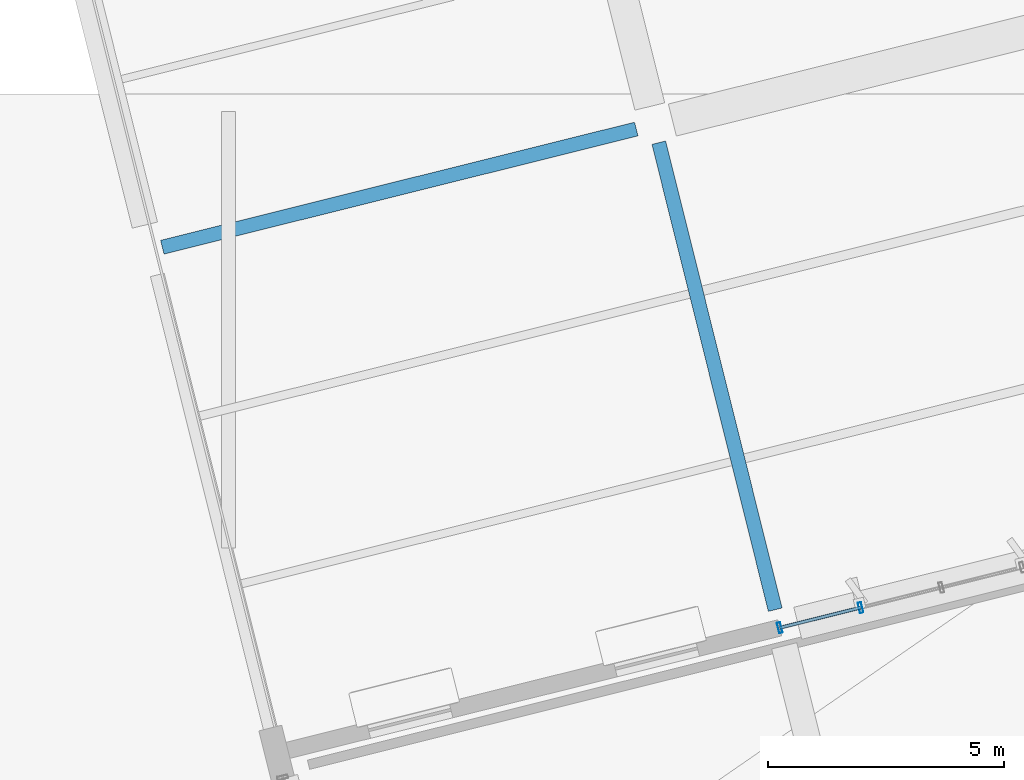
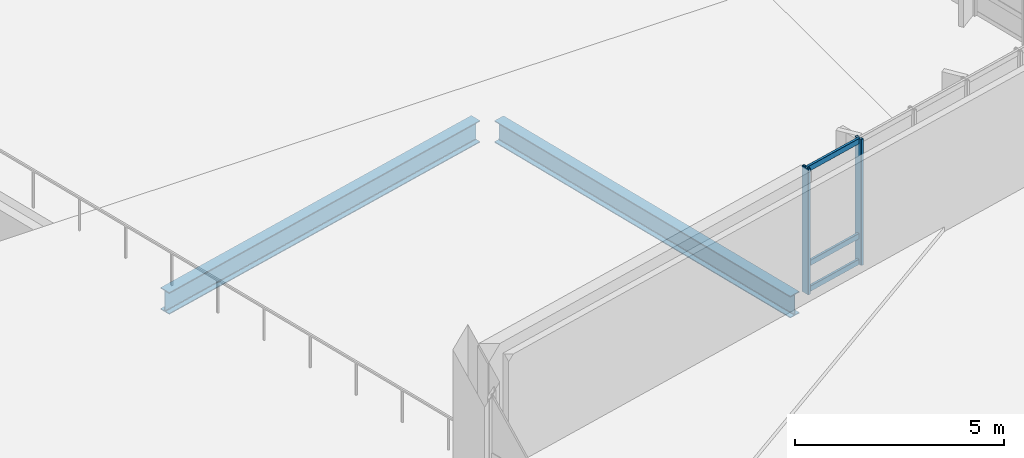
# One storey, part 70 of 137: 5 members, 2 beams, 1 element without a shape of its own.
"""IFC4 building model written with IfcOpenShell, lengths in metres."""

import ifcopenshell
import ifcopenshell.guid

model = None  # the IFC model being written
_history = None  # IfcOwnerHistory: only IFC2X3 demands one
_inside = {}  # id of a spatial element -> (the spatial element, [elements in it])
_under = {}  # id of a project, library or spatial element -> (it, [spatial elements below it])
_declared = {}  # id of a project -> (the project, [libraries it declares])
_typed = {}  # id of a type object -> (the type object, [elements of that type])
_made_of = {}  # id of a material, layer set ... -> (it, [elements and type objects made of it])


def new_model(schema):
    """Start an empty IFC model of exactly this schema.

    Asked for "IFC4X3", IfcOpenShell would pick the latest addendum, in which some entities
    have other attributes; the version numbers below select the first issue.
    IFC2X3 requires an IfcOwnerHistory on every rooted entity: one is made here for all.
    """
    global model, _history
    if schema == "IFC4X3":
        model = ifcopenshell.file(schema_version=(4, 3, 0, 0))
    else:
        model = ifcopenshell.file(schema=schema)
    _inside.clear()
    _under.clear()
    _declared.clear()
    _typed.clear()
    _made_of.clear()
    _history = None
    if model.schema == "IFC2X3":
        org = make("IfcOrganization", Name="unknown")
        user = make(
            "IfcPersonAndOrganization",
            ThePerson=make("IfcPerson", FamilyName="unknown"),
            TheOrganization=org,
        )
        app = make(
            "IfcApplication",
            ApplicationDeveloper=org,
            Version="unknown",
            ApplicationFullName="unknown",
            ApplicationIdentifier="unknown",
        )
        _history = make(
            "IfcOwnerHistory",
            OwningUser=user,
            OwningApplication=app,
            ChangeAction="ADDED",
            CreationDate=0,
        )
    return model


def make(cls, **values):
    """One entity of the class cls with the attributes given. An attribute that is None is left unset."""
    return model.create_entity(
        cls, **{name: value for name, value in values.items() if value is not None}
    )


def rooted(cls, **values):
    """An entity with a GlobalId (a new one), such as an element, a storey or a relation."""
    return make(cls, GlobalId=ifcopenshell.guid.new(), OwnerHistory=_history, **values)


def si_unit(unit_type, name, prefix=None):
    """IfcSIUnit, for example si_unit("LENGTHUNIT", "METRE", prefix="MILLI")."""
    return make("IfcSIUnit", UnitType=unit_type, Prefix=prefix, Name=name)


def assignment(units):
    """IfcUnitAssignment: the units of a project."""
    return None if units is None else make("IfcUnitAssignment", Units=units)


def point(xyz):
    """IfcCartesianPoint."""
    return None if xyz is None else make("IfcCartesianPoint", Coordinates=xyz)


def direction(xyz):
    """IfcDirection."""
    return None if xyz is None else make("IfcDirection", DirectionRatios=xyz)


def frame(location, z_axis=None, x_axis=None):
    """IfcAxis2Placement3D, a coordinate frame: its origin and axes. An axis left out is left unset."""
    return make(
        "IfcAxis2Placement3D",
        Location=point(location),
        Axis=direction(z_axis),
        RefDirection=direction(x_axis),
    )


def frame_2d(location, x_axis=None):
    """IfcAxis2Placement2D, a coordinate frame in the plane: its origin and x axis."""
    return make(
        "IfcAxis2Placement2D", Location=point(location), RefDirection=direction(x_axis)
    )


def origin():
    """The frame at (0, 0, 0) with its axes left unset."""
    return frame((0.0, 0.0, 0.0))


def origin_2d():
    """The frame at (0, 0) in the plane with its x axis left unset."""
    return frame_2d((0.0, 0.0))


def place(relative_to, where):
    """IfcLocalPlacement: puts the frame where relative to a parent placement (None: the world)."""
    return make(
        "IfcLocalPlacement", PlacementRelTo=relative_to, RelativePlacement=where
    )


def context(
    kind, dimensions, precision=None, world=None, true_north=None, identifier=None
):
    """IfcGeometricRepresentationContext, for example the 3D "Model" context."""
    return make(
        "IfcGeometricRepresentationContext",
        ContextIdentifier=identifier,
        ContextType=kind,
        CoordinateSpaceDimension=dimensions,
        Precision=precision,
        WorldCoordinateSystem=world,
        TrueNorth=true_north,
    )


def subcontext(parent, identifier, kind, view, scale=None):
    """IfcGeometricRepresentationSubContext, for example "Body" below "Model"."""
    return make(
        "IfcGeometricRepresentationSubContext",
        ContextIdentifier=identifier,
        ContextType=kind,
        ParentContext=parent,
        TargetScale=scale,
        TargetView=view,
    )


def project(units=None, contexts=None):
    """IfcProject with its units and contexts."""
    return rooted(
        "IfcProject",
        Name="project",
        RepresentationContexts=contexts,
        UnitsInContext=assignment(units),
    )


def spatial(cls, under=None, at=None, **own):
    """A site, building, storey or space (cls), placed at a placement, below another one or the project."""
    s = rooted(cls, ObjectPlacement=at, **own)
    if under is not None:
        _under.setdefault(under.id(), (under, []))[1].append(s)
    return s


def profile(cls, at=None, kind="AREA", **sizes):
    """A parametric profile (cls). Its sizes go by their IFC names, for example OverallWidth=200.0."""
    return make(cls, ProfileType=kind, Position=at, **sizes)


def hollow_rectangle(**sizes):
    """IfcRectangleHollowProfileDef."""
    return profile("IfcRectangleHollowProfileDef", **sizes)


def i_section(**sizes):
    """IfcIShapeProfileDef."""
    return profile("IfcIShapeProfileDef", **sizes)


def extrude(swept, where, along, depth):
    """IfcExtrudedAreaSolid: the profile swept, set in the frame where, extruded along a direction by depth."""
    return make(
        "IfcExtrudedAreaSolid",
        SweptArea=swept,
        Position=where,
        ExtrudedDirection=direction(along),
        Depth=depth,
    )


def shape(context_of_items, identifier, shape_type, items):
    """IfcShapeRepresentation: the items that make up one representation, for example the "Body"."""
    return make(
        "IfcShapeRepresentation",
        ContextOfItems=context_of_items,
        RepresentationIdentifier=identifier,
        RepresentationType=shape_type,
        Items=items,
    )


def material(Name=None, Category=None):
    """IfcMaterial."""
    return make("IfcMaterial", Name=Name, Category=Category)


def layer(
    of_material, thickness, ventilated=None, Name=None, Category=None, Priority=None
):
    """IfcMaterialLayer: one layer of a wall or slab, of a material (None: an air gap)."""
    return make(
        "IfcMaterialLayer",
        Material=of_material,
        LayerThickness=thickness,
        IsVentilated=ventilated,
        Name=Name,
        Category=Category,
        Priority=Priority,
    )


def layer_set(layers, Name=None):
    """IfcMaterialLayerSet."""
    return make("IfcMaterialLayerSet", MaterialLayers=layers, LayerSetName=Name)


def material_profile(
    of_material, cross_section, Name=None, Category=None, Priority=None
):
    """IfcMaterialProfile: a cross section and its material."""
    return make(
        "IfcMaterialProfile",
        Name=Name,
        Material=of_material,
        Profile=cross_section,
        Priority=Priority,
        Category=Category,
    )


def profile_set(profiles, Name=None, composite=None):
    """IfcMaterialProfileSet."""
    return make(
        "IfcMaterialProfileSet",
        Name=Name,
        MaterialProfiles=profiles,
        CompositeProfile=composite,
    )


def made_of(thing, what):
    """Note that an element or type object is made of a material, layer set ...; save() writes the relation."""
    if what is not None:
        _made_of.setdefault(what.id(), (what, []))[1].append(thing)
    return thing


def type_object(cls, material=None, **own):
    """A type object (cls), such as IfcWallType, which elements share."""
    return made_of(rooted(cls, **own), material)


def element(
    cls,
    number,
    at=None,
    inside=None,
    cuts=None,
    type_object=None,
    material=None,
    context=None,
    identifier="Body",
    shape_type=None,
    held_by="IfcProductDefinitionShape",
    body=None,
    shapes=None,
    **own,
):
    """One element of the class cls, such as IfcWall. Its Tag is "e" and its number.

    at: its placement. inside: the storey or other place that contains it. cuts: it is an
    opening in that element (IfcRelVoidsElement). A single representation is given by context,
    identifier, shape_type and body (its items); several are given by shapes. held_by: the class
    of the entity that holds the representations. save() writes the other relations.
    """
    e = rooted(cls, Tag="e%d" % number, ObjectPlacement=at, **own)
    if body is not None:
        shapes = [shape(context, identifier, shape_type, body)]
    if shapes is not None:
        e.Representation = make(held_by, Representations=shapes)
    if inside is not None:
        _inside.setdefault(inside.id(), (inside, []))[1].append(e)
    if cuts is not None:
        rooted(
            "IfcRelVoidsElement", RelatingBuildingElement=cuts, RelatedOpeningElement=e
        )
    if type_object is not None:
        _typed.setdefault(type_object.id(), (type_object, []))[1].append(e)
    return made_of(e, material)


def aggregate(whole, parts):
    """IfcRelAggregates: a whole, such as a stair, and the parts it consists of."""
    return rooted("IfcRelAggregates", RelatingObject=whole, RelatedObjects=parts)


def save(model, path):
    """Write the relations noted so far, then the file.

    IfcRelAggregates (storeys below a building ...), IfcRelContainedInSpatialStructure (elements
    in a storey), IfcRelDefinesByType, IfcRelAssociatesMaterial and IfcRelDeclares: one each for
    every whole, place, type object, material and project.
    """
    for whole, parts in _under.values():
        aggregate(whole, parts)
    for where, things in _inside.values():
        rooted(
            "IfcRelContainedInSpatialStructure",
            RelatedElements=things,
            RelatingStructure=where,
        )
    for kind, things in _typed.values():
        rooted("IfcRelDefinesByType", RelatedObjects=things, RelatingType=kind)
    for what, things in _made_of.values():
        rooted("IfcRelAssociatesMaterial", RelatedObjects=things, RelatingMaterial=what)
    for by, libraries in _declared.values():
        rooted("IfcRelDeclares", RelatingContext=by, RelatedDefinitions=libraries)
    model.write(path)


model = new_model("IFC4")

# Units and contexts
model_context = context("Model", 3, precision=1e-05, world=origin(), true_north=direction((0.0, 1.0)))
body_context = subcontext(model_context, "Body", "Model", "MODEL_VIEW")
ifc_project = project(units=[si_unit("LENGTHUNIT", "METRE"), si_unit("AREAUNIT", "SQUARE_METRE"), si_unit("VOLUMEUNIT", "CUBIC_METRE"), si_unit("PLANEANGLEUNIT", "RADIAN"), si_unit("MASSUNIT", "GRAM", prefix="KILO")], contexts=[model_context])

# Site, building, storey
site_placement = place(None, origin())
site = spatial("IfcSite", under=ifc_project, at=site_placement, CompositionType="ELEMENT")
building_placement = place(site_placement, origin())
building = spatial("IfcBuilding", under=site, at=building_placement, Name="Khorjan Park Terminus", CompositionType="ELEMENT")
storey_placement = place(building_placement, frame((0.0, 0.0, 11.4)))
storey = spatial("IfcBuildingStorey", under=building, at=storey_placement, Name="L02", CompositionType="ELEMENT", Elevation=11.4)

# Beams
ifc_material_1 = material(Name="Steel S355", Category="steel")
ifc_material_profile_1 = material_profile(ifc_material_1, i_section(OverallWidth=0.3, OverallDepth=0.64, WebThickness=0.0135, FlangeThickness=0.026, FilletRadius=0.027, at=origin_2d()), Name="HEA 650")
ifc_profile_set_1 = profile_set([ifc_material_profile_1], Name="Steel S355")
beam_type = type_object("IfcBeamType", Name="BM-HEA650", PredefinedType="BEAM", material=ifc_profile_set_1)
beam_1_placement = place(storey_placement, frame((155.5932, 44.7523, -0.59), z_axis=(0.970295611857, 0.241922354509, 0.0), x_axis=(-0.241922354509, 0.970295611857, 0.0)))
element("IfcBeam", 1, at=beam_1_placement, inside=storey, type_object=beam_type, Name="Primary skew-grid floor girder SB-A65 (L02)", PredefinedType="BEAM", context=body_context, shape_type="SweptSolid", body=[
    extrude(i_section(OverallWidth=0.3, OverallDepth=0.64, WebThickness=0.0135, FlangeThickness=0.026, FilletRadius=0.027, at=origin_2d()), origin(), (0.0, 0.0, 1.0), 10.3599),
])
beam_2_placement = place(storey_placement, frame((168.5943, 37.0642, -0.59), z_axis=(-0.241929482178, 0.970293834698, 0.0), x_axis=(-0.970293834698, -0.241929482178, 0.0)))
element("IfcBeam", 2, at=beam_2_placement, inside=storey, type_object=beam_type, Name="Primary skew-grid floor girder SB-A65 (L02)", PredefinedType="BEAM", context=body_context, shape_type="SweptSolid", body=[
    extrude(i_section(OverallWidth=0.3, OverallDepth=0.64, WebThickness=0.0135, FlangeThickness=0.026, FilletRadius=0.027, at=origin_2d()), origin(), (0.0, 0.0, 1.0), 10.21),
])

# Curtain wall, members
ifc_material_2 = material(Name="Anodized Bronze Aluminium", Category="aluminium")
ifc_layer = layer(ifc_material_2, 0.22)
ifc_layer_set = layer_set([ifc_layer], Name="Anodized Bronze Aluminium")
curtain_wall_type = type_object("IfcCurtainWallType", Name="CW-OPS-B", PredefinedType="NOTDEFINED", material=ifc_layer_set)
curtain_wall_placement = place(storey_placement, origin())
curtain_wall = element("IfcCurtainWall", 3, at=curtain_wall_placement, inside=storey, type_object=curtain_wall_type, Name="Unitized curtain wall CW-B (CW-V5-NW2-L02-B01)", PredefinedType="NOTDEFINED")
ifc_material_profile_2 = material_profile(ifc_material_2, hollow_rectangle(XDim=0.075, YDim=0.225, WallThickness=0.005, InnerFilletRadius=0.005, OuterFilletRadius=0.01, at=origin_2d()), Name="ALM 75x225x5")
ifc_profile_set_2 = profile_set([ifc_material_profile_2], Name="Anodized Bronze Aluminium")
member_type_1 = type_object("IfcMemberType", Name="ML-ALM-225", PredefinedType="MULLION", material=ifc_profile_set_2)
member_1_placement = place(storey_placement, frame((170.4032, 37.1081, -0.035), z_axis=(0.0, 0.0, 1.0), x_axis=(-0.970296650926, -0.241918187, 0.0)))
member_1 = element("IfcMember", 4, at=member_1_placement, type_object=member_type_1, Name="Curtain-wall mullion ML-22 (CW-V5-NW2-L02-B01-5)", PredefinedType="MULLION", context=body_context, shape_type="SweptSolid", body=[
    extrude(hollow_rectangle(XDim=0.075, YDim=0.225, WallThickness=0.005, InnerFilletRadius=0.005, OuterFilletRadius=0.01, at=origin_2d()), origin(), (0.0, 0.0, 1.0), 3.685),
])
member_2_placement = place(storey_placement, frame((168.6898, 36.6809, -0.035), z_axis=(0.0, 0.0, 1.0), x_axis=(-0.970296650926, -0.241918187, 0.0)))
member_2 = element("IfcMember", 5, at=member_2_placement, type_object=member_type_1, Name="Curtain-wall mullion ML-22 (CW-V5-NW2-L02-B01-6)", PredefinedType="MULLION", context=body_context, shape_type="SweptSolid", body=[
    extrude(hollow_rectangle(XDim=0.075, YDim=0.225, WallThickness=0.005, InnerFilletRadius=0.005, OuterFilletRadius=0.01, at=origin_2d()), origin(), (0.0, 0.0, 1.0), 3.685),
])
ifc_material_profile_3 = material_profile(ifc_material_2, hollow_rectangle(XDim=0.07, YDim=0.16, WallThickness=0.004, InnerFilletRadius=0.004, OuterFilletRadius=0.008, at=origin_2d()), Name="ALT 70x160x4")
ifc_profile_set_3 = profile_set([ifc_material_profile_3], Name="Anodized Bronze Aluminium")
member_type_2 = type_object("IfcMemberType", Name="TR-ALT-160", PredefinedType="USERDEFINED", material=ifc_profile_set_3)
member_3_placement = place(storey_placement, frame((170.4032, 37.1081, 0.04), z_axis=(-0.970295540183, -0.241922641979, 0.0), x_axis=(0.241922641979, -0.970295540183, 0.0)))
member_3 = element("IfcMember", 6, at=member_3_placement, type_object=member_type_2, Name="Curtain-wall transom TR-16 (CW-V5-NW2-L02-B01-5-1)", ObjectType="TRANSOM", PredefinedType="USERDEFINED", context=body_context, shape_type="SweptSolid", body=[
    extrude(hollow_rectangle(XDim=0.07, YDim=0.16, WallThickness=0.004, InnerFilletRadius=0.004, OuterFilletRadius=0.008, at=origin_2d()), origin(), (0.0, 0.0, 1.0), 1.7659),
])
member_4_placement = place(storey_placement, frame((170.4032, 37.1081, 0.795), z_axis=(-0.970295540183, -0.241922641979, 0.0), x_axis=(0.241922641979, -0.970295540183, 0.0)))
member_4 = element("IfcMember", 7, at=member_4_placement, type_object=member_type_2, Name="Curtain-wall transom TR-16 (CW-V5-NW2-L02-B01-5-2)", ObjectType="TRANSOM", PredefinedType="USERDEFINED", context=body_context, shape_type="SweptSolid", body=[
    extrude(hollow_rectangle(XDim=0.07, YDim=0.16, WallThickness=0.004, InnerFilletRadius=0.004, OuterFilletRadius=0.008, at=origin_2d()), origin(), (0.0, 0.0, 1.0), 1.7659),
])
member_5_placement = place(storey_placement, frame((170.4032, 37.1081, 3.575), z_axis=(-0.970295540183, -0.241922641979, 0.0), x_axis=(0.241922641979, -0.970295540183, 0.0)))
member_5 = element("IfcMember", 8, at=member_5_placement, type_object=member_type_2, Name="Curtain-wall transom TR-16 (CW-V5-NW2-L02-B01-5-3)", ObjectType="TRANSOM", PredefinedType="USERDEFINED", context=body_context, shape_type="SweptSolid", body=[
    extrude(hollow_rectangle(XDim=0.07, YDim=0.16, WallThickness=0.004, InnerFilletRadius=0.004, OuterFilletRadius=0.008, at=origin_2d()), origin(), (0.0, 0.0, 1.0), 1.7659),
])
aggregate(curtain_wall, [member_1, member_2, member_3, member_4, member_5])

save(model, "model.ifc")
